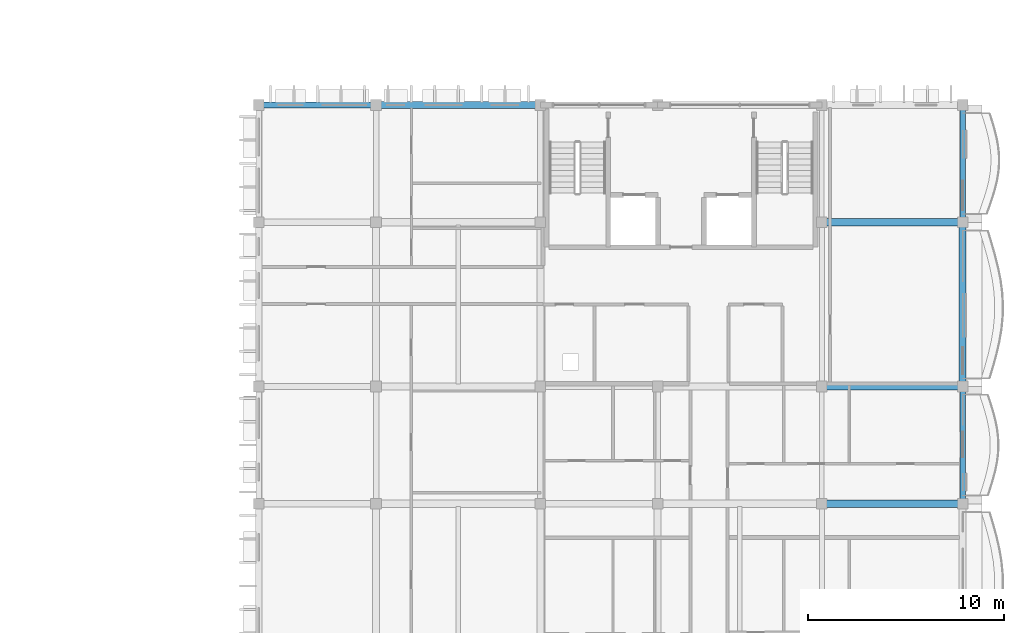
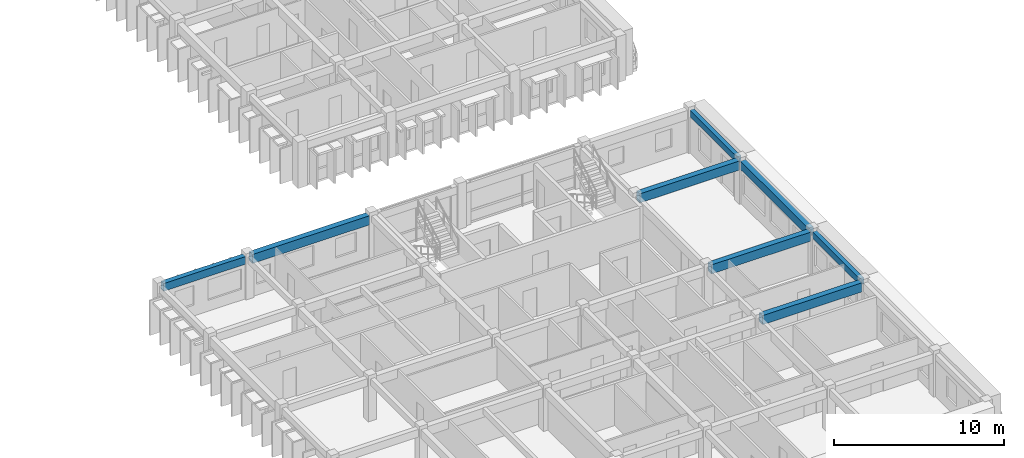
# One storey, part 7 of 70: 8 beams.
"""IFC4 building model written with IfcOpenShell, lengths in metres."""

from ifc_helpers import new_model, si_unit, direction, frame, origin, origin_2d, place, context, subcontext, project, spatial, rectangle, extrude, material, material_profile, profile_set, type_object, element, save


model = new_model("IFC4")

# Units and contexts
model_context = context("Model", 3, precision=1e-05, world=origin(), true_north=direction((0.0, 1.0)))
body_context = subcontext(model_context, "Body", "Model", "MODEL_VIEW")
ifc_project = project(units=[si_unit("LENGTHUNIT", "METRE"), si_unit("AREAUNIT", "SQUARE_METRE"), si_unit("VOLUMEUNIT", "CUBIC_METRE"), si_unit("PLANEANGLEUNIT", "RADIAN"), si_unit("MASSUNIT", "GRAM", prefix="KILO"), si_unit("THERMODYNAMICTEMPERATUREUNIT", "KELVIN")], contexts=[model_context])

# Site, building, storey
site_placement = place(None, origin())
site = spatial("IfcSite", under=ifc_project, at=site_placement, CompositionType="ELEMENT")
building_placement = place(site_placement, origin())
building = spatial("IfcBuilding", under=site, at=building_placement, Name="Thalorik Housing Commons", CompositionType="ELEMENT")
storey_placement = place(building_placement, frame((0.0, 0.0, 14.699951171875)))
storey = spatial("IfcBuildingStorey", under=building, at=storey_placement, Name="L04", CompositionType="ELEMENT", Elevation=14.699951171875)

# Beams
ifc_material = material(Name="Precast concrete C40/50", Category="concrete")
ifc_material_profile_1 = material_profile(ifc_material, rectangle(XDim=0.280029296875, YDim=0.449951171875, at=origin_2d()), Name="PC 280x450", Category="concrete")
ifc_profile_set_1 = profile_set([ifc_material_profile_1], Name="Precast concrete C40/50")
beam_type_1 = type_object("IfcBeamType", Name="STR-BM-PC280x450", PredefinedType="BEAM", material=ifc_profile_set_1)
beam_1_placement = place(storey_placement, frame((174.0, 51.824951171875, 2.81494140625), z_axis=(0.0, 1.0, 0.0), x_axis=(-1.0, 0.0, 0.0)))
element("IfcBeam", 1, at=beam_1_placement, inside=storey, type_object=beam_type_1, Name="L04 Beam B-450", PredefinedType="BEAM", context=body_context, shape_type="SweptSolid", body=[
    extrude(rectangle(XDim=0.280029296875, YDim=0.449951171875, at=origin_2d()), origin(), (0.0, 0.0, 1.0), 5.550048828125),
])
beam_2_placement = place(storey_placement, frame((174.0, 66.22509765625, 2.81494140625), z_axis=(0.0, 1.0, 0.0), x_axis=(-1.0, 0.0, 0.0)))
element("IfcBeam", 2, at=beam_2_placement, inside=storey, type_object=beam_type_1, Name="L04 Beam B-450", PredefinedType="BEAM", context=body_context, shape_type="SweptSolid", body=[
    extrude(rectangle(XDim=0.280029296875, YDim=0.449951171875, at=origin_2d()), origin(), (0.0, 0.0, 1.0), 5.5498046875),
])
ifc_material_profile_2 = material_profile(ifc_material, rectangle(XDim=0.320068359375, YDim=0.550048828125, at=origin_2d()), Name="PC 320x550", Category="concrete")
ifc_profile_set_2 = profile_set([ifc_material_profile_2], Name="Precast concrete C40/50")
beam_type_2 = type_object("IfcBeamType", Name="STR-BM-PC320x550", PredefinedType="BEAM", material=ifc_profile_set_2)
beam_3_placement = place(storey_placement, frame((138.22509765625, 72.0, 2.76513671875), z_axis=(1.0, 0.0, 0.0), x_axis=(0.0, 1.0, 0.0)))
element("IfcBeam", 3, at=beam_3_placement, inside=storey, type_object=beam_type_2, Name="L04 Beam B-550", PredefinedType="BEAM", context=body_context, shape_type="SweptSolid", body=[
    extrude(rectangle(XDim=0.320068359375, YDim=0.550048828125, at=origin_2d()), origin(), (0.0, 0.0, 1.0), 5.5498046875),
])
ifc_material_profile_3 = material_profile(ifc_material, rectangle(XDim=0.35009765625, YDim=0.60009765625, at=origin_2d()), Name="PC 350x600", Category="concrete")
ifc_profile_set_3 = profile_set([ifc_material_profile_3], Name="Precast concrete C40/50")
beam_type_3 = type_object("IfcBeamType", Name="STR-BM-PC350x600", PredefinedType="BEAM", material=ifc_profile_set_3)
beam_4_placement = place(storey_placement, frame((174.0, 57.824951171875, 2.739990234375), z_axis=(0.0, 1.0, 0.0), x_axis=(-1.0, 0.0, 0.0)))
element("IfcBeam", 4, at=beam_4_placement, inside=storey, type_object=beam_type_3, Name="L04 Beam B-600", PredefinedType="BEAM", context=body_context, shape_type="SweptSolid", body=[
    extrude(rectangle(XDim=0.35009765625, YDim=0.60009765625, at=origin_2d()), origin(), (0.0, 0.0, 1.0), 7.949951171875),
])
ifc_material_profile_4 = material_profile(ifc_material, rectangle(XDim=0.3798828125, YDim=0.64990234375, at=origin_2d()), Name="PC 380x650", Category="concrete")
ifc_profile_set_4 = profile_set([ifc_material_profile_4], Name="Precast concrete C40/50")
beam_type_4 = type_object("IfcBeamType", Name="STR-BM-PC380x650", PredefinedType="BEAM", material=ifc_profile_set_4)
for number, where, z_axis, x_axis, name in (
    (5, (167.02490234375, 51.60009765625, 2.715087890625), (1.0, 0.0, 0.0), (0.0, 1.0, 0.0), "L04 Beam B-650"),
    (6, (167.02490234375, 57.60009765625, 2.715087890625), (1.0, 0.0, 0.0), (0.0, 1.0, 0.0), "L04 Beam B-650"),
    (7, (167.02490234375, 66.0, 2.715087890625), (1.0, 0.0, 0.0), (0.0, 1.0, 0.0), "L04 Beam B-650"),
):
    element("IfcBeam", number, at=place(storey_placement, frame(where, z_axis=z_axis, x_axis=x_axis)), inside=storey, type_object=beam_type_4, Name=name, PredefinedType="BEAM", context=body_context, shape_type="SweptSolid", body=[
        extrude(rectangle(XDim=0.3798828125, YDim=0.64990234375, at=origin_2d()), origin(), (0.0, 0.0, 1.0), 6.75),
    ])
beam_5_placement = place(storey_placement, frame((144.22509765625, 72.0, 2.715087890625), z_axis=(1.0, 0.0, 0.0), x_axis=(0.0, 1.0, 0.0)))
element("IfcBeam", 8, at=beam_5_placement, inside=storey, type_object=beam_type_4, Name="L04 Beam B-650", PredefinedType="BEAM", context=body_context, shape_type="SweptSolid", body=[
    extrude(rectangle(XDim=0.3798828125, YDim=0.64990234375, at=origin_2d()), origin(), (0.0, 0.0, 1.0), 7.949951171875),
])

save(model, "model.ifc")
